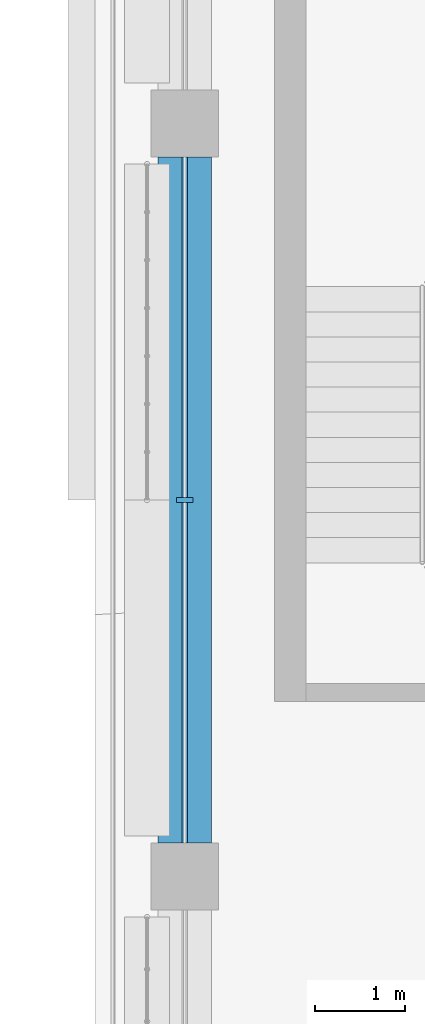
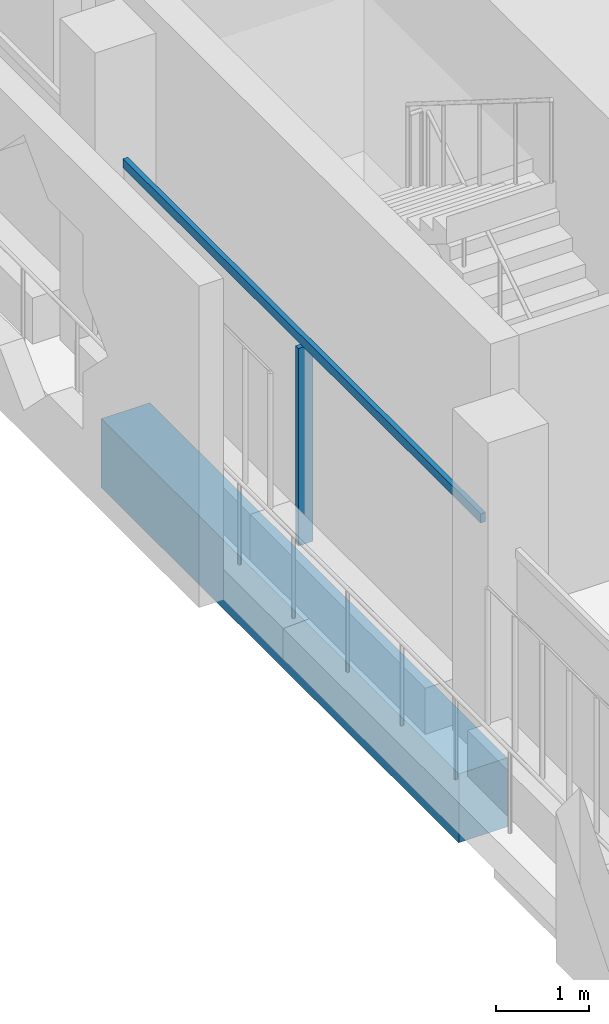
# One storey, part 4 of 21: 2 members, 1 beam, 1 element without a shape of its own.
"""IFC4 building model written with IfcOpenShell, lengths in metres."""

from ifc_helpers import new_model, si_unit, direction, frame, origin, origin_2d, place, context, subcontext, project, spatial, rectangle, extrude, material, layer, layer_set, material_profile, profile_set, type_object, element, aggregate, save


model = new_model("IFC4")

# Units and contexts
model_context = context("Model", 3, precision=1e-05, world=origin(), true_north=direction((0.0, 1.0)))
body_context = subcontext(model_context, "Body", "Model", "MODEL_VIEW")
ifc_project = project(units=[si_unit("LENGTHUNIT", "METRE"), si_unit("AREAUNIT", "SQUARE_METRE"), si_unit("VOLUMEUNIT", "CUBIC_METRE"), si_unit("PLANEANGLEUNIT", "RADIAN"), si_unit("MASSUNIT", "GRAM", prefix="KILO")], contexts=[model_context])

# Site, building, storey
site_placement = place(None, origin())
site = spatial("IfcSite", under=ifc_project, at=site_placement, CompositionType="ELEMENT")
building_placement = place(site_placement, origin())
building = spatial("IfcBuilding", under=site, at=building_placement, Name="Kawkab Arch Medical Tower", CompositionType="ELEMENT")
storey_placement = place(building_placement, frame((0.0, 0.0, 311.199951171875)))
storey = spatial("IfcBuildingStorey", under=building, at=storey_placement, Name="L72", CompositionType="ELEMENT", Elevation=311.199951171875)

# Curtain wall, members
ifc_material_1 = material(Name="Bronze anodised aluminium curtain wall frame", Category="aluminium")
ifc_layer = layer(ifc_material_1, 0.159912109375)
ifc_layer_set = layer_set([ifc_layer], Name="Bronze anodised aluminium curtain wall frame")
curtain_wall_type = type_object("IfcCurtainWallType", Name="CW1 ward curtain wall", PredefinedType="NOTDEFINED", material=ifc_layer_set)
curtain_wall_placement = place(storey_placement, origin())
curtain_wall = element("IfcCurtainWall", 1, at=curtain_wall_placement, inside=storey, type_object=curtain_wall_type, Name="CW1 Ward curtain wall R02", PredefinedType="NOTDEFINED")
ifc_material_2 = material(Name="Bronze anodised aluminium curtain wall frame", Category="aluminium")
ifc_material_profile_1 = material_profile(ifc_material_2, rectangle(XDim=0.179931640625, YDim=0.06005859375, at=origin_2d()), Name="AL 60x180")
ifc_profile_set_1 = profile_set([ifc_material_profile_1], Name="Bronze anodised aluminium curtain wall frame")
member_type_1 = type_object("IfcMemberType", Name="CW1 mullion 60 x 180", PredefinedType="MULLION", material=ifc_profile_set_1)
member_1_placement = place(storey_placement, frame((0.0, -21.0, 0.0), z_axis=(0.0, 0.0, 1.0), x_axis=(1.0, 0.0, 0.0)))
member_1 = element("IfcMember", 2, at=member_1_placement, type_object=member_type_1, Name="CW1 mullion 2.1", PredefinedType="MULLION", context=body_context, shape_type="SweptSolid", body=[
    extrude(rectangle(XDim=0.179931640625, YDim=0.06005859375, at=origin_2d()), origin(), (0.0, 0.0, 1.0), 2.580078125),
])
ifc_material_3 = material(Name="Bronze anodised aluminium curtain wall frame", Category="aluminium")
ifc_material_profile_2 = material_profile(ifc_material_3, rectangle(XDim=0.06005859375, YDim=0.1201171875, at=origin_2d()), Name="AL 60x120")
ifc_profile_set_2 = profile_set([ifc_material_profile_2], Name="Bronze anodised aluminium curtain wall frame")
member_type_2 = type_object("IfcMemberType", Name="CW1 transom 120 x 60", PredefinedType="USERDEFINED", material=ifc_profile_set_2)
member_2_placement = place(storey_placement, frame((0.0, -17.175048828125, 2.64013671875), z_axis=(0.0, -1.0, 0.0), x_axis=(1.0, 0.0, 0.0)))
member_2 = element("IfcMember", 3, at=member_2_placement, type_object=member_type_2, Name="CW1 transom 2", ObjectType="TRANSOM", PredefinedType="USERDEFINED", context=body_context, shape_type="SweptSolid", body=[
    extrude(rectangle(XDim=0.06005859375, YDim=0.1201171875, at=origin_2d()), origin(), (0.0, 0.0, 1.0), 7.64990234375),
])
aggregate(curtain_wall, [member_2, member_1])

# Beam
ifc_material_4 = material(Name="Concrete C40/50", Category="concrete")
ifc_material_profile_3 = material_profile(ifc_material_4, rectangle(XDim=0.60009765625, YDim=0.89990234375, at=origin_2d()), Name="RC 600x900")
ifc_profile_set_3 = profile_set([ifc_material_profile_3], Name="Concrete C40/50")
beam_type = type_object("IfcBeamType", Name="RC 600x900 beam C40/50", PredefinedType="BEAM", material=ifc_profile_set_3)
beam_placement = place(storey_placement, frame((0.0, -24.824951171875, -1.050048828125), z_axis=(0.0, 1.0, 0.0), x_axis=(-1.0, 0.0, 0.0)))
element("IfcBeam", 4, at=beam_placement, inside=storey, type_object=beam_type, Name="Overhang edge beam L72-04", PredefinedType="BEAM", context=body_context, shape_type="SweptSolid", body=[
    extrude(rectangle(XDim=0.60009765625, YDim=0.89990234375, at=origin_2d()), origin(), (0.0, 0.0, 1.0), 7.64990234375),
])

save(model, "model.ifc")
